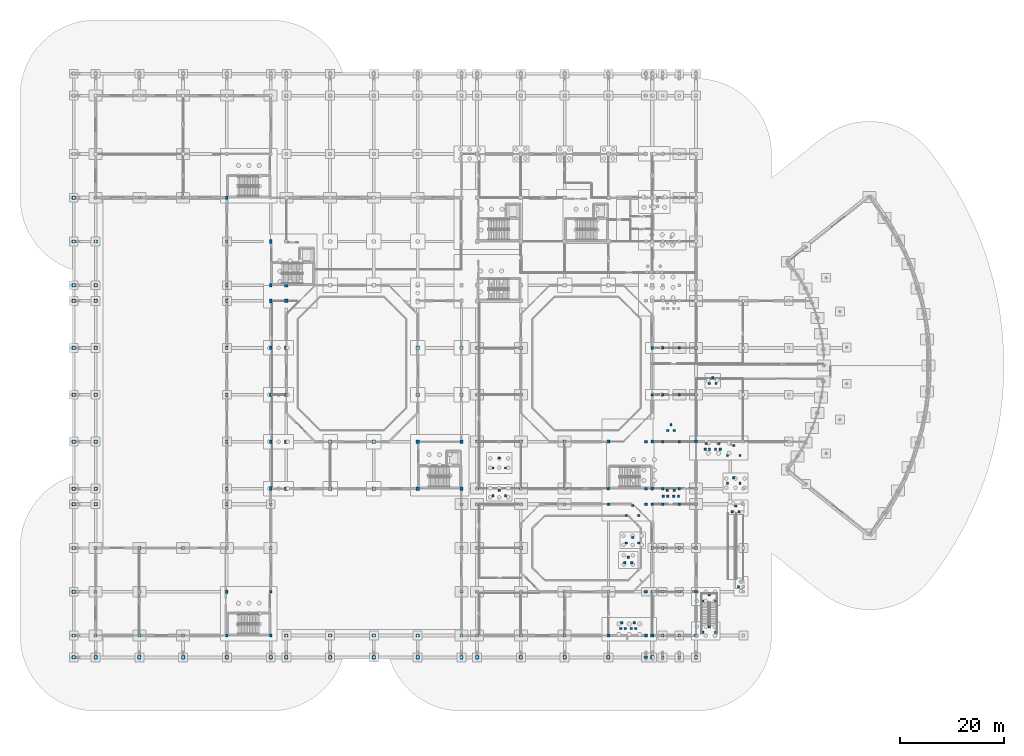
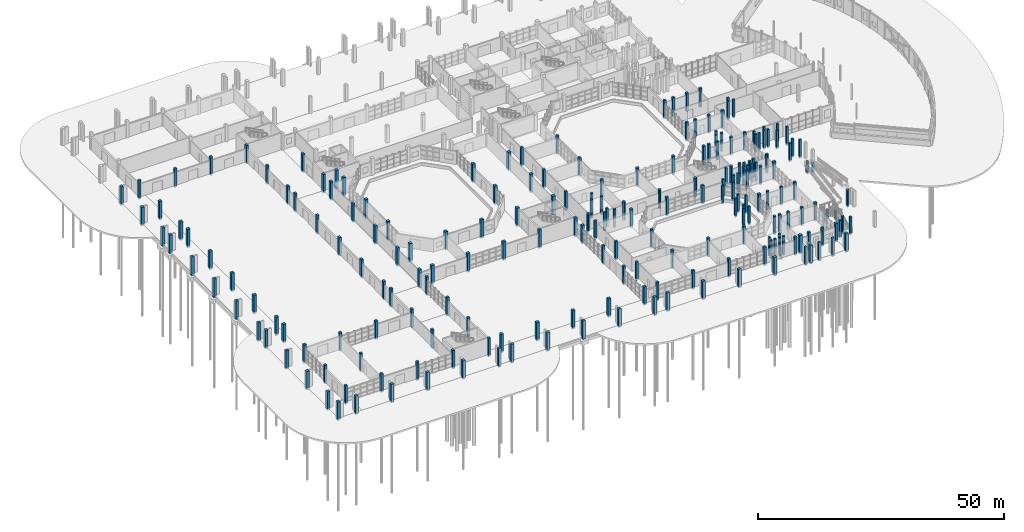
# One storey, part 9 of 88: 218 columns.
"""IFC4 building model written with IfcOpenShell, lengths in metres."""

from ifc_helpers import new_model, si_unit, direction, frame, origin, origin_2d, place, context, subcontext, project, spatial, rectangle, circle, extrude, material, material_profile, profile_set, type_object, element, save


model = new_model("IFC4")

# Units and contexts
model_context = context("Model", 3, precision=1e-05, world=origin(), true_north=direction((0.0, 1.0)))
body_context = subcontext(model_context, "Body", "Model", "MODEL_VIEW")
ifc_project = project(units=[si_unit("LENGTHUNIT", "METRE"), si_unit("AREAUNIT", "SQUARE_METRE"), si_unit("VOLUMEUNIT", "CUBIC_METRE"), si_unit("PLANEANGLEUNIT", "RADIAN"), si_unit("MASSUNIT", "GRAM", prefix="KILO")], contexts=[model_context])

# Site, building, storey
site_placement = place(None, origin())
site = spatial("IfcSite", under=ifc_project, at=site_placement, CompositionType="ELEMENT")
building_placement = place(site_placement, origin())
building = spatial("IfcBuilding", under=site, at=building_placement, Name="Vanh Quang Courtyard School", CompositionType="ELEMENT")
storey_placement = place(building_placement, origin())
storey = spatial("IfcBuildingStorey", under=building, at=storey_placement, Name="L00", CompositionType="ELEMENT", Elevation=0.0)

# Columns
ifc_material = material(Name="Concrete C35/45", Category="concrete")
ifc_material_profile_1 = material_profile(ifc_material, rectangle(XDim=0.449951171875, YDim=0.449951171875, at=origin_2d()), Name="RC-COL 450x450")
ifc_profile_set_1 = profile_set([ifc_material_profile_1], Name="Concrete C35/45")
column_type_1 = type_object("IfcColumnType", Name="COL-RC-450", PredefinedType="COLUMN", material=ifc_profile_set_1)
for number, where, z_axis, x_axis, name in (
    (1, (126.35009765625, 27.949951171875, -0.39990234375), (0.0, 0.0, 1.0), (1.0, 0.0, 0.0), "Column C-06 (L00)"),
    (2, (127.64990234375, 27.949951171875, -0.39990234375), (0.0, 0.0, 1.0), (1.0, 0.0, 0.0), "Column C-06 (L00)"),
    (3, (127.0, 29.050048828125, -0.39990234375), (0.0, 0.0, 1.0), (1.0, 0.0, 0.0), "Column C-06 (L00)"),
):
    element("IfcColumn", number, at=place(storey_placement, frame(where, z_axis=z_axis, x_axis=x_axis)), inside=storey, type_object=column_type_1, Name=name, PredefinedType="COLUMN", context=body_context, shape_type="SweptSolid", body=[
        extrude(rectangle(XDim=0.449951171875, YDim=0.449951171875, at=origin_2d()), origin(), (0.0, 0.0, 1.0), 2.27978515625),
    ])
column_placement = place(storey_placement, frame((127.550048828125, 13.550048828125, -0.39990234375), z_axis=(0.0, 0.0, 1.0), x_axis=(1.0, 0.0, 0.0)))
element("IfcColumn", 4, at=column_placement, inside=storey, type_object=column_type_1, Name="Column C-06 (L00)", PredefinedType="COLUMN", context=body_context, shape_type="SweptSolid", body=[
    extrude(rectangle(XDim=0.449951171875, YDim=0.449951171875, at=origin_2d()), origin(), (0.0, 0.0, 1.0), 4.3798828125),
])
for number, where, z_axis, x_axis, name in (
    (5, (121.949951171875, 52.550048828125, -0.39990234375), (0.0, 0.0, 1.0), (1.0, 0.0, 0.0), "Column C-06 (L00)"),
    (6, (123.25, 52.550048828125, -0.39990234375), (0.0, 0.0, 1.0), (1.0, 0.0, 0.0), "Column C-06 (L00)"),
    (7, (122.60009765625, 53.64990234375, -0.39990234375), (0.0, 0.0, 1.0), (1.0, 0.0, 0.0), "Column C-06 (L00)"),
    (8, (123.14990234375, 39.949951171875, -0.39990234375), (0.0, 0.0, 1.0), (1.0, 0.0, 0.0), "Column C-06 (L00)"),
    (9, (124.050048828125, 39.949951171875, -0.39990234375), (0.0, 0.0, 1.0), (1.0, 0.0, 0.0), "Column C-06 (L00)"),
    (10, (123.75, 41.050048828125, -0.39990234375), (0.0, 0.0, 1.0), (1.0, 0.0, 0.0), "Column C-06 (L00)"),
):
    element("IfcColumn", number, at=place(storey_placement, frame(where, z_axis=z_axis, x_axis=x_axis)), inside=storey, type_object=column_type_1, Name=name, PredefinedType="COLUMN", context=body_context, shape_type="SweptSolid", body=[
        extrude(rectangle(XDim=0.449951171875, YDim=0.449951171875, at=origin_2d()), origin(), (0.0, 0.0, 1.0), 4.599853515625),
    ])
for number, where, z_axis, x_axis, name in (
    (11, (121.14990234375, 39.949951171875, -0.39990234375), (0.0, 0.0, 1.0), (1.0, 0.0, 0.0), "Column C-06 (L00)"),
    (12, (122.0, 39.949951171875, -0.39990234375), (0.0, 0.0, 1.0), (1.0, 0.0, 0.0), "Column C-06 (L00)"),
    (13, (121.35009765625, 41.050048828125, -0.39990234375), (0.0, 0.0, 1.0), (1.0, 0.0, 0.0), "Column C-06 (L00)"),
):
    element("IfcColumn", number, at=place(storey_placement, frame(where, z_axis=z_axis, x_axis=x_axis)), inside=storey, type_object=column_type_1, Name=name, PredefinedType="COLUMN", context=body_context, shape_type="SweptSolid", body=[
        extrude(rectangle(XDim=0.449951171875, YDim=0.449951171875, at=origin_2d()), origin(), (0.0, 0.0, 1.0), 4.3798828125),
    ])
for number, where, z_axis, x_axis, name in (
    (14, (105.75, 18.14990234375, -0.39990234375), (0.0, 0.0, 1.0), (1.0, 0.0, 0.0), "Column C-06 (L00)"),
    (15, (107.050048828125, 18.14990234375, -0.39990234375), (0.0, 0.0, 1.0), (1.0, 0.0, 0.0), "Column C-06 (L00)"),
    (16, (106.39990234375, 19.25, -0.39990234375), (0.0, 0.0, 1.0), (1.0, 0.0, 0.0), "Column C-06 (L00)"),
    (17, (106.949951171875, 5.550048828125, -0.39990234375), (0.0, 0.0, 1.0), (1.0, 0.0, 0.0), "Column C-06 (L00)"),
    (18, (107.85009765625, 5.550048828125, -0.39990234375), (0.0, 0.0, 1.0), (1.0, 0.0, 0.0), "Column C-06 (L00)"),
    (19, (107.550048828125, 6.64990234375, -0.39990234375), (0.0, 0.0, 1.0), (1.0, 0.0, 0.0), "Column C-06 (L00)"),
    (20, (104.949951171875, 5.550048828125, -0.39990234375), (0.0, 0.0, 1.0), (1.0, 0.0, 0.0), "Column C-06 (L00)"),
    (21, (105.800048828125, 5.550048828125, -0.39990234375), (0.0, 0.0, 1.0), (1.0, 0.0, 0.0), "Column C-06 (L00)"),
    (22, (105.14990234375, 6.64990234375, -0.39990234375), (0.0, 0.0, 1.0), (1.0, 0.0, 0.0), "Column C-06 (L00)"),
    (23, (113.949951171875, 43.550048828125, -0.39990234375), (0.0, 0.0, 1.0), (1.0, 0.0, 0.0), "Column C-06 (L00)"),
    (24, (115.25, 43.550048828125, -0.39990234375), (0.0, 0.0, 1.0), (1.0, 0.0, 0.0), "Column C-06 (L00)"),
    (25, (114.60009765625, 44.64990234375, -0.39990234375), (0.0, 0.0, 1.0), (1.0, 0.0, 0.0), "Column C-06 (L00)"),
    (26, (115.14990234375, 30.949951171875, -0.39990234375), (0.0, 0.0, 1.0), (1.0, 0.0, 0.0), "Column C-06 (L00)"),
    (27, (116.050048828125, 30.949951171875, -0.39990234375), (0.0, 0.0, 1.0), (1.0, 0.0, 0.0), "Column C-06 (L00)"),
    (28, (115.199951171875, 32.050048828125, -0.39990234375), (0.0, 0.0, 1.0), (1.0, 0.0, 0.0), "Column C-06 (L00)"),
    (29, (113.14990234375, 30.949951171875, -0.39990234375), (0.0, 0.0, 1.0), (1.0, 0.0, 0.0), "Column C-06 (L00)"),
    (30, (114.0, 30.949951171875, -0.39990234375), (0.0, 0.0, 1.0), (1.0, 0.0, 0.0), "Column C-06 (L00)"),
    (31, (113.89990234375, 32.050048828125, -0.39990234375), (0.0, 0.0, 1.0), (1.0, 0.0, 0.0), "Column C-06 (L00)"),
):
    element("IfcColumn", number, at=place(storey_placement, frame(where, z_axis=z_axis, x_axis=x_axis)), inside=storey, type_object=column_type_1, Name=name, PredefinedType="COLUMN", context=body_context, shape_type="SweptSolid", body=[
        extrude(rectangle(XDim=0.449951171875, YDim=0.449951171875, at=origin_2d()), origin(), (0.0, 0.0, 1.0), 4.599853515625),
    ])
for number, where, z_axis, x_axis, name in (
    (32, (123.14990234375, 10.820068359375, -0.39990234375), (0.0, 0.0, 1.0), (1.0, 0.0, 0.0), "Column C-06 (L00)"),
    (33, (120.75, 10.820068359375, -0.39990234375), (0.0, 0.0, 1.0), (1.0, 0.0, 0.0), "Column C-06 (L00)"),
    (34, (121.949951171875, 12.050048828125, -0.39990234375), (0.0, 0.0, 1.0), (1.0, 0.0, 0.0), "Column C-06 (L00)"),
):
    element("IfcColumn", number, at=place(storey_placement, frame(where, z_axis=z_axis, x_axis=x_axis)), inside=storey, type_object=column_type_1, Name=name, PredefinedType="COLUMN", context=body_context, shape_type="SweptSolid", body=[
        extrude(rectangle(XDim=0.449951171875, YDim=0.449951171875, at=origin_2d()), origin(), (0.0, 0.0, 1.0), 2.2998046875),
    ])
for number, where, z_axis, x_axis, name in (
    (35, (123.14990234375, 4.85009765625, -0.39990234375), (0.0, 0.0, 1.0), (1.0, 0.0, 0.0), "Column C-06 (L00)"),
    (36, (120.75, 4.85009765625, -0.39990234375), (0.0, 0.0, 1.0), (1.0, 0.0, 0.0), "Column C-06 (L00)"),
    (37, (121.949951171875, 5.89990234375, -0.39990234375), (0.0, 0.0, 1.0), (1.0, 0.0, 0.0), "Column C-06 (L00)"),
):
    element("IfcColumn", number, at=place(storey_placement, frame(where, z_axis=z_axis, x_axis=x_axis)), inside=storey, type_object=column_type_1, Name=name, PredefinedType="COLUMN", context=body_context, shape_type="SweptSolid", body=[
        extrude(rectangle(XDim=0.449951171875, YDim=0.449951171875, at=origin_2d()), origin(), (0.0, 0.0, 1.0), 4.39990234375),
    ])
for number, where, z_axis, x_axis, name in (
    (38, (127.85009765625, 38.739990234375, -0.39990234375), (0.0, 0.0, 1.0), (1.0, 0.0, 0.0), "Column C-06 (L00)"),
    (39, (125.449951171875, 38.739990234375, -0.39990234375), (0.0, 0.0, 1.0), (1.0, 0.0, 0.0), "Column C-06 (L00)"),
    (40, (126.64990234375, 40.64990234375, -0.39990234375), (0.0, 0.0, 1.0), (1.0, 0.0, 0.0), "Column C-06 (L00)"),
    (41, (127.85009765625, 33.449951171875, -0.39990234375), (0.0, 0.0, 1.0), (1.0, 0.0, 0.0), "Column C-06 (L00)"),
    (42, (125.449951171875, 33.449951171875, -0.39990234375), (0.0, 0.0, 1.0), (1.0, 0.0, 0.0), "Column C-06 (L00)"),
    (43, (126.64990234375, 34.5, -0.39990234375), (0.0, 0.0, 1.0), (1.0, 0.0, 0.0), "Column C-06 (L00)"),
    (44, (108.449951171875, 27.239990234375, -0.39990234375), (0.0, 0.0, 1.0), (1.0, 0.0, 0.0), "Column C-06 (L00)"),
    (45, (106.050048828125, 27.239990234375, -0.39990234375), (0.0, 0.0, 1.0), (1.0, 0.0, 0.0), "Column C-06 (L00)"),
    (46, (107.25, 29.14990234375, -0.39990234375), (0.0, 0.0, 1.0), (1.0, 0.0, 0.0), "Column C-06 (L00)"),
    (47, (108.449951171875, 21.949951171875, -0.39990234375), (0.0, 0.0, 1.0), (1.0, 0.0, 0.0), "Column C-06 (L00)"),
    (48, (106.050048828125, 21.949951171875, -0.39990234375), (0.0, 0.0, 1.0), (1.0, 0.0, 0.0), "Column C-06 (L00)"),
    (49, (107.25, 23.0, -0.39990234375), (0.0, 0.0, 1.0), (1.0, 0.0, 0.0), "Column C-06 (L00)"),
    (50, (82.85009765625, 36.340087890625, -0.39990234375), (0.0, 0.0, 1.0), (1.0, 0.0, 0.0), "Column C-06 (L00)"),
    (51, (80.449951171875, 36.340087890625, -0.39990234375), (0.0, 0.0, 1.0), (1.0, 0.0, 0.0), "Column C-06 (L00)"),
    (52, (81.64990234375, 38.25, -0.39990234375), (0.0, 0.0, 1.0), (1.0, 0.0, 0.0), "Column C-06 (L00)"),
    (53, (82.85009765625, 31.050048828125, -0.39990234375), (0.0, 0.0, 1.0), (1.0, 0.0, 0.0), "Column C-06 (L00)"),
    (54, (80.449951171875, 31.050048828125, -0.39990234375), (0.0, 0.0, 1.0), (1.0, 0.0, 0.0), "Column C-06 (L00)"),
    (55, (81.64990234375, 32.10009765625, -0.39990234375), (0.0, 0.0, 1.0), (1.0, 0.0, 0.0), "Column C-06 (L00)"),
):
    element("IfcColumn", number, at=place(storey_placement, frame(where, z_axis=z_axis, x_axis=x_axis)), inside=storey, type_object=column_type_1, Name=name, PredefinedType="COLUMN", context=body_context, shape_type="SweptSolid", body=[
        extrude(rectangle(XDim=0.449951171875, YDim=0.449951171875, at=origin_2d()), origin(), (0.0, 0.0, 1.0), 4.599853515625),
    ])
ifc_material_profile_2 = material_profile(ifc_material, rectangle(XDim=0.5, YDim=0.5, at=origin_2d()), Name="RC-COL 500x500")
ifc_profile_set_2 = profile_set([ifc_material_profile_2], Name="Concrete C35/45")
column_type_2 = type_object("IfcColumnType", Name="COL-RC-500", PredefinedType="COLUMN", material=ifc_profile_set_2)
for number, where, z_axis, x_axis, name in (
    (56, (116.199951171875, 0.0, -0.39990234375), (0.0, 0.0, 1.0), (1.0, 0.0, 0.0), "Column C-05 (L00)"),
    (57, (116.199951171875, 4.199951171875, -0.39990234375), (0.0, 0.0, 1.0), (1.0, 0.0, 0.0), "Column C-05 (L00)"),
    (58, (116.199951171875, 12.60009765625, -0.39990234375), (0.0, 0.0, 1.0), (1.0, 0.0, 0.0), "Column C-05 (L00)"),
    (59, (116.199951171875, 21.0, -0.39990234375), (0.0, 0.0, 1.0), (1.0, 0.0, 0.0), "Column C-05 (L00)"),
    (60, (116.199951171875, 29.39990234375, -0.39990234375), (0.0, 0.0, 1.0), (1.0, 0.0, 0.0), "Column C-05 (L00)"),
    (61, (116.199951171875, 32.39990234375, -0.39990234375), (0.0, 0.0, 1.0), (1.0, 0.0, 0.0), "Column C-05 (L00)"),
    (62, (116.199951171875, 41.39990234375, -0.39990234375), (0.0, 0.0, 1.0), (1.0, 0.0, 0.0), "Column C-05 (L00)"),
    (63, (116.199951171875, 50.39990234375, -0.39990234375), (0.0, 0.0, 1.0), (1.0, 0.0, 0.0), "Column C-05 (L00)"),
    (64, (116.199951171875, 59.39990234375, -0.39990234375), (0.0, 0.0, 1.0), (1.0, 0.0, 0.0), "Column C-05 (L00)"),
    (65, (113.0, 0.0, -0.39990234375), (0.0, 0.0, 1.0), (1.0, 0.0, 0.0), "Column C-05 (L00)"),
    (66, (113.0, 4.199951171875, -0.39990234375), (0.0, 0.0, 1.0), (1.0, 0.0, 0.0), "Column C-05 (L00)"),
    (67, (113.0, 12.60009765625, -0.39990234375), (0.0, 0.0, 1.0), (1.0, 0.0, 0.0), "Column C-05 (L00)"),
    (68, (113.0, 21.0, -0.39990234375), (0.0, 0.0, 1.0), (1.0, 0.0, 0.0), "Column C-05 (L00)"),
    (69, (113.0, 29.39990234375, -0.39990234375), (0.0, 0.0, 1.0), (1.0, 0.0, 0.0), "Column C-05 (L00)"),
    (70, (113.0, 32.39990234375, -0.39990234375), (0.0, 0.0, 1.0), (1.0, 0.0, 0.0), "Column C-05 (L00)"),
    (71, (113.0, 41.39990234375, -0.39990234375), (0.0, 0.0, 1.0), (1.0, 0.0, 0.0), "Column C-05 (L00)"),
    (72, (113.0, 50.39990234375, -0.39990234375), (0.0, 0.0, 1.0), (1.0, 0.0, 0.0), "Column C-05 (L00)"),
    (73, (113.0, 59.39990234375, -0.39990234375), (0.0, 0.0, 1.0), (1.0, 0.0, 0.0), "Column C-05 (L00)"),
    (74, (109.800048828125, 0.0, -0.39990234375), (0.0, 0.0, 1.0), (1.0, 0.0, 0.0), "Column C-05 (L00)"),
    (75, (109.800048828125, 4.199951171875, -0.39990234375), (0.0, 0.0, 1.0), (1.0, 0.0, 0.0), "Column C-05 (L00)"),
    (76, (109.800048828125, 12.60009765625, -0.39990234375), (0.0, 0.0, 1.0), (1.0, 0.0, 0.0), "Column C-05 (L00)"),
    (77, (109.800048828125, 29.39990234375, -0.39990234375), (0.0, 0.0, 1.0), (1.0, 0.0, 0.0), "Column C-05 (L00)"),
    (78, (109.800048828125, 32.39990234375, -0.39990234375), (0.0, 0.0, 1.0), (1.0, 0.0, 0.0), "Column C-05 (L00)"),
    (79, (109.800048828125, 41.39990234375, -0.39990234375), (0.0, 0.0, 1.0), (1.0, 0.0, 0.0), "Column C-05 (L00)"),
):
    element("IfcColumn", number, at=place(storey_placement, frame(where, z_axis=z_axis, x_axis=x_axis)), inside=storey, type_object=column_type_2, Name=name, PredefinedType="COLUMN", context=body_context, shape_type="SweptSolid", body=[
        extrude(rectangle(XDim=0.5, YDim=0.5, at=origin_2d()), origin(), (0.0, 0.0, 1.0), 4.599853515625),
    ])
ifc_material_profile_3 = material_profile(ifc_material, rectangle(XDim=0.5, YDim=0.64990234375, at=origin_2d()), Name="RC-COL 500x650")
ifc_profile_set_3 = profile_set([ifc_material_profile_3], Name="Concrete C35/45")
column_type_3 = type_object("IfcColumnType", Name="COL-RC-500x650", PredefinedType="COLUMN", material=ifc_profile_set_3)
for number, where, z_axis, x_axis, name in (
    (80, (29.39990234375, 4.199951171875, -0.39990234375), (0.0, 0.0, 1.0), (1.0, 0.0, 0.0), "Column C-07 (L00)"),
    (81, (29.39990234375, 12.60009765625, -0.39990234375), (0.0, 0.0, 1.0), (1.0, 0.0, 0.0), "Column C-07 (L00)"),
    (82, (29.39990234375, 21.0, -0.39990234375), (0.0, 0.0, 1.0), (1.0, 0.0, 0.0), "Column C-07 (L00)"),
    (83, (29.39990234375, 29.39990234375, -0.39990234375), (0.0, 0.0, 1.0), (1.0, 0.0, 0.0), "Column C-07 (L00)"),
    (84, (29.39990234375, 32.39990234375, -0.39990234375), (0.0, 0.0, 1.0), (1.0, 0.0, 0.0), "Column C-07 (L00)"),
    (85, (29.39990234375, 41.39990234375, -0.39990234375), (0.0, 0.0, 1.0), (1.0, 0.0, 0.0), "Column C-07 (L00)"),
    (86, (29.39990234375, 50.39990234375, -0.39990234375), (0.0, 0.0, 1.0), (1.0, 0.0, 0.0), "Column C-07 (L00)"),
    (87, (29.39990234375, 59.39990234375, -0.39990234375), (0.0, 0.0, 1.0), (1.0, 0.0, 0.0), "Column C-07 (L00)"),
    (88, (29.39990234375, 68.39990234375, -0.39990234375), (0.0, 0.0, 1.0), (1.0, 0.0, 0.0), "Column C-07 (L00)"),
    (89, (29.39990234375, 71.39990234375, -0.39990234375), (0.0, 0.0, 1.0), (1.0, 0.0, 0.0), "Column C-07 (L00)"),
    (90, (29.39990234375, 79.800048828125, -0.39990234375), (0.0, 0.0, 1.0), (1.0, 0.0, 0.0), "Column C-07 (L00)"),
    (91, (29.39990234375, 88.199951171875, -0.39990234375), (0.0, 0.0, 1.0), (1.0, 0.0, 0.0), "Column C-07 (L00)"),
):
    element("IfcColumn", number, at=place(storey_placement, frame(where, z_axis=z_axis, x_axis=x_axis)), inside=storey, type_object=column_type_3, Name=name, PredefinedType="COLUMN", context=body_context, shape_type="SweptSolid", body=[
        extrude(rectangle(XDim=0.5, YDim=0.64990234375, at=origin_2d()), origin(), (0.0, 0.0, 1.0), 4.599853515625),
    ])
ifc_material_profile_4 = material_profile(ifc_material, rectangle(XDim=0.550048828125, YDim=0.550048828125, at=origin_2d()), Name="RC-COL 550x550")
ifc_profile_set_4 = profile_set([ifc_material_profile_4], Name="Concrete C35/45")
column_type_4 = type_object("IfcColumnType", Name="COL-RC-550", PredefinedType="COLUMN", material=ifc_profile_set_4)
for number, where, z_axis, x_axis, name in (
    (92, (4.199951171875, 4.199951171875, -0.39990234375), (0.0, 0.0, 1.0), (1.0, 0.0, 0.0), "Column C-04 (L00)"),
    (93, (4.199951171875, 12.60009765625, -0.39990234375), (0.0, 0.0, 1.0), (1.0, 0.0, 0.0), "Column C-04 (L00)"),
    (94, (4.199951171875, 21.0, -0.39990234375), (0.0, 0.0, 1.0), (1.0, 0.0, 0.0), "Column C-04 (L00)"),
    (95, (4.199951171875, 88.199951171875, -0.39990234375), (0.0, 0.0, 1.0), (1.0, 0.0, 0.0), "Column C-04 (L00)"),
    (96, (12.60009765625, 4.199951171875, -0.39990234375), (0.0, 0.0, 1.0), (1.0, 0.0, 0.0), "Column C-04 (L00)"),
    (97, (12.60009765625, 12.60009765625, -0.39990234375), (0.0, 0.0, 1.0), (1.0, 0.0, 0.0), "Column C-04 (L00)"),
    (98, (12.60009765625, 21.0, -0.39990234375), (0.0, 0.0, 1.0), (1.0, 0.0, 0.0), "Column C-04 (L00)"),
    (99, (12.60009765625, 88.199951171875, -0.39990234375), (0.0, 0.0, 1.0), (1.0, 0.0, 0.0), "Column C-04 (L00)"),
    (100, (21.0, 4.199951171875, -0.39990234375), (0.0, 0.0, 1.0), (1.0, 0.0, 0.0), "Column C-04 (L00)"),
    (101, (21.0, 21.0, -0.39990234375), (0.0, 0.0, 1.0), (1.0, 0.0, 0.0), "Column C-04 (L00)"),
    (102, (21.0, 88.199951171875, -0.39990234375), (0.0, 0.0, 1.0), (1.0, 0.0, 0.0), "Column C-04 (L00)"),
    (103, (37.800048828125, 4.199951171875, -0.39990234375), (0.0, 0.0, 1.0), (1.0, 0.0, 0.0), "Column C-04 (L00)"),
    (104, (37.800048828125, 12.60009765625, -0.39990234375), (0.0, 0.0, 1.0), (1.0, 0.0, 0.0), "Column C-04 (L00)"),
    (105, (37.800048828125, 21.0, -0.39990234375), (0.0, 0.0, 1.0), (1.0, 0.0, 0.0), "Column C-04 (L00)"),
    (106, (37.800048828125, 29.39990234375, -0.39990234375), (0.0, 0.0, 1.0), (1.0, 0.0, 0.0), "Column C-04 (L00)"),
    (107, (74.39990234375, 4.199951171875, -0.39990234375), (0.0, 0.0, 1.0), (1.0, 0.0, 0.0), "Column C-04 (L00)"),
    (108, (74.39990234375, 12.60009765625, -0.39990234375), (0.0, 0.0, 1.0), (1.0, 0.0, 0.0), "Column C-04 (L00)"),
    (109, (74.39990234375, 21.0, -0.39990234375), (0.0, 0.0, 1.0), (1.0, 0.0, 0.0), "Column C-04 (L00)"),
    (110, (74.39990234375, 29.39990234375, -0.39990234375), (0.0, 0.0, 1.0), (1.0, 0.0, 0.0), "Column C-04 (L00)"),
    (111, (77.39990234375, 4.199951171875, -0.39990234375), (0.0, 0.0, 1.0), (1.0, 0.0, 0.0), "Column C-04 (L00)"),
    (112, (77.39990234375, 12.60009765625, -0.39990234375), (0.0, 0.0, 1.0), (1.0, 0.0, 0.0), "Column C-04 (L00)"),
    (113, (77.39990234375, 21.0, -0.39990234375), (0.0, 0.0, 1.0), (1.0, 0.0, 0.0), "Column C-04 (L00)"),
    (114, (77.39990234375, 29.39990234375, -0.39990234375), (0.0, 0.0, 1.0), (1.0, 0.0, 0.0), "Column C-04 (L00)"),
    (115, (77.39990234375, 41.39990234375, -0.39990234375), (0.0, 0.0, 1.0), (1.0, 0.0, 0.0), "Column C-04 (L00)"),
    (116, (77.39990234375, 50.39990234375, -0.39990234375), (0.0, 0.0, 1.0), (1.0, 0.0, 0.0), "Column C-04 (L00)"),
    (117, (77.39990234375, 59.39990234375, -0.39990234375), (0.0, 0.0, 1.0), (1.0, 0.0, 0.0), "Column C-04 (L00)"),
    (118, (85.800048828125, 4.199951171875, -0.39990234375), (0.0, 0.0, 1.0), (1.0, 0.0, 0.0), "Column C-04 (L00)"),
    (119, (85.800048828125, 12.60009765625, -0.39990234375), (0.0, 0.0, 1.0), (1.0, 0.0, 0.0), "Column C-04 (L00)"),
    (120, (85.800048828125, 21.0, -0.39990234375), (0.0, 0.0, 1.0), (1.0, 0.0, 0.0), "Column C-04 (L00)"),
    (121, (85.800048828125, 29.39990234375, -0.39990234375), (0.0, 0.0, 1.0), (1.0, 0.0, 0.0), "Column C-04 (L00)"),
    (122, (85.800048828125, 41.39990234375, -0.39990234375), (0.0, 0.0, 1.0), (1.0, 0.0, 0.0), "Column C-04 (L00)"),
    (123, (85.800048828125, 50.39990234375, -0.39990234375), (0.0, 0.0, 1.0), (1.0, 0.0, 0.0), "Column C-04 (L00)"),
    (124, (85.800048828125, 59.39990234375, -0.39990234375), (0.0, 0.0, 1.0), (1.0, 0.0, 0.0), "Column C-04 (L00)"),
    (125, (94.199951171875, 4.199951171875, -0.39990234375), (0.0, 0.0, 1.0), (1.0, 0.0, 0.0), "Column C-04 (L00)"),
    (126, (94.199951171875, 12.60009765625, -0.39990234375), (0.0, 0.0, 1.0), (1.0, 0.0, 0.0), "Column C-04 (L00)"),
    (127, (94.199951171875, 29.39990234375, -0.39990234375), (0.0, 0.0, 1.0), (1.0, 0.0, 0.0), "Column C-04 (L00)"),
    (128, (94.199951171875, 41.39990234375, -0.39990234375), (0.0, 0.0, 1.0), (1.0, 0.0, 0.0), "Column C-04 (L00)"),
    (129, (102.60009765625, 4.199951171875, -0.39990234375), (0.0, 0.0, 1.0), (1.0, 0.0, 0.0), "Column C-04 (L00)"),
    (130, (102.60009765625, 12.60009765625, -0.39990234375), (0.0, 0.0, 1.0), (1.0, 0.0, 0.0), "Column C-04 (L00)"),
    (131, (102.60009765625, 29.39990234375, -0.39990234375), (0.0, 0.0, 1.0), (1.0, 0.0, 0.0), "Column C-04 (L00)"),
    (132, (102.60009765625, 41.39990234375, -0.39990234375), (0.0, 0.0, 1.0), (1.0, 0.0, 0.0), "Column C-04 (L00)"),
    (133, (111.0, 12.60009765625, -0.39990234375), (0.0, 0.0, 1.0), (1.0, 0.0, 0.0), "Column C-04 (L00)"),
    (134, (111.0, 21.0, -0.39990234375), (0.0, 0.0, 1.0), (1.0, 0.0, 0.0), "Column C-04 (L00)"),
    (135, (111.0, 29.39990234375, -0.39990234375), (0.0, 0.0, 1.0), (1.0, 0.0, 0.0), "Column C-04 (L00)"),
    (136, (111.0, 41.39990234375, -0.39990234375), (0.0, 0.0, 1.0), (1.0, 0.0, 0.0), "Column C-04 (L00)"),
    (137, (111.0, 50.39990234375, -0.39990234375), (0.0, 0.0, 1.0), (1.0, 0.0, 0.0), "Column C-04 (L00)"),
    (138, (111.0, 59.39990234375, -0.39990234375), (0.0, 0.0, 1.0), (1.0, 0.0, 0.0), "Column C-04 (L00)"),
    (139, (119.39990234375, 12.60009765625, -0.39990234375), (0.0, 0.0, 1.0), (1.0, 0.0, 0.0), "Column C-04 (L00)"),
    (140, (119.39990234375, 21.0, -0.39990234375), (0.0, 0.0, 1.0), (1.0, 0.0, 0.0), "Column C-04 (L00)"),
    (141, (119.39990234375, 29.39990234375, -0.39990234375), (0.0, 0.0, 1.0), (1.0, 0.0, 0.0), "Column C-04 (L00)"),
    (142, (119.39990234375, 41.39990234375, -0.39990234375), (0.0, 0.0, 1.0), (1.0, 0.0, 0.0), "Column C-04 (L00)"),
    (143, (119.39990234375, 50.39990234375, -0.39990234375), (0.0, 0.0, 1.0), (1.0, 0.0, 0.0), "Column C-04 (L00)"),
    (144, (119.39990234375, 59.39990234375, -0.39990234375), (0.0, 0.0, 1.0), (1.0, 0.0, 0.0), "Column C-04 (L00)"),
):
    element("IfcColumn", number, at=place(storey_placement, frame(where, z_axis=z_axis, x_axis=x_axis)), inside=storey, type_object=column_type_4, Name=name, PredefinedType="COLUMN", context=body_context, shape_type="SweptSolid", body=[
        extrude(rectangle(XDim=0.550048828125, YDim=0.550048828125, at=origin_2d()), origin(), (0.0, 0.0, 1.0), 4.599853515625),
    ])
ifc_material_profile_5 = material_profile(ifc_material, rectangle(XDim=0.550048828125, YDim=0.699951171875, at=origin_2d()), Name="RC-COL 550x700")
ifc_profile_set_5 = profile_set([ifc_material_profile_5], Name="Concrete C35/45")
column_type_5 = type_object("IfcColumnType", Name="COL-RC-550x700", PredefinedType="COLUMN", material=ifc_profile_set_5)
for number, where, z_axis, x_axis, name in (
    (145, (37.800048828125, 32.39990234375, -0.39990234375), (0.0, 0.0, 1.0), (1.0, 0.0, 0.0), "Column C-08 (L00)"),
    (146, (37.800048828125, 41.39990234375, -0.39990234375), (0.0, 0.0, 1.0), (1.0, 0.0, 0.0), "Column C-08 (L00)"),
    (147, (37.800048828125, 50.39990234375, -0.39990234375), (0.0, 0.0, 1.0), (1.0, 0.0, 0.0), "Column C-08 (L00)"),
    (148, (37.800048828125, 59.39990234375, -0.39990234375), (0.0, 0.0, 1.0), (1.0, 0.0, 0.0), "Column C-08 (L00)"),
    (149, (37.800048828125, 68.39990234375, -0.39990234375), (0.0, 0.0, 1.0), (1.0, 0.0, 0.0), "Column C-08 (L00)"),
    (150, (37.800048828125, 71.39990234375, -0.39990234375), (0.0, 0.0, 1.0), (1.0, 0.0, 0.0), "Column C-08 (L00)"),
    (151, (37.800048828125, 79.800048828125, -0.39990234375), (0.0, 0.0, 1.0), (1.0, 0.0, 0.0), "Column C-08 (L00)"),
):
    element("IfcColumn", number, at=place(storey_placement, frame(where, z_axis=z_axis, x_axis=x_axis)), inside=storey, type_object=column_type_5, Name=name, PredefinedType="COLUMN", context=body_context, shape_type="SweptSolid", body=[
        extrude(rectangle(XDim=0.550048828125, YDim=0.699951171875, at=origin_2d()), origin(), (0.0, 0.0, 1.0), 4.599853515625),
    ])
ifc_material_profile_6 = material_profile(ifc_material, rectangle(XDim=0.64990234375, YDim=0.64990234375, at=origin_2d()), Name="RC-COL 650x650")
ifc_profile_set_6 = profile_set([ifc_material_profile_6], Name="Concrete C35/45")
column_type_6 = type_object("IfcColumnType", Name="COL-RC-650", PredefinedType="COLUMN", material=ifc_profile_set_6)
for number, where, z_axis, x_axis, name in (
    (152, (0.0, 0.0, -0.39990234375), (0.0, 0.0, 1.0), (1.0, 0.0, 0.0), "Column C-02 (L00)"),
    (153, (0.0, 4.199951171875, -0.39990234375), (0.0, 0.0, 1.0), (1.0, 0.0, 0.0), "Column C-02 (L00)"),
    (154, (0.0, 12.60009765625, -0.39990234375), (0.0, 0.0, 1.0), (1.0, 0.0, 0.0), "Column C-02 (L00)"),
    (155, (0.0, 21.0, -0.39990234375), (0.0, 0.0, 1.0), (1.0, 0.0, 0.0), "Column C-02 (L00)"),
    (156, (0.0, 29.39990234375, -0.39990234375), (0.0, 0.0, 1.0), (1.0, 0.0, 0.0), "Column C-02 (L00)"),
    (157, (0.0, 32.39990234375, -0.39990234375), (0.0, 0.0, 1.0), (1.0, 0.0, 0.0), "Column C-02 (L00)"),
    (158, (0.0, 41.39990234375, -0.39990234375), (0.0, 0.0, 1.0), (1.0, 0.0, 0.0), "Column C-02 (L00)"),
    (159, (0.0, 50.39990234375, -0.39990234375), (0.0, 0.0, 1.0), (1.0, 0.0, 0.0), "Column C-02 (L00)"),
    (160, (0.0, 59.39990234375, -0.39990234375), (0.0, 0.0, 1.0), (1.0, 0.0, 0.0), "Column C-02 (L00)"),
    (161, (0.0, 68.39990234375, -0.39990234375), (0.0, 0.0, 1.0), (1.0, 0.0, 0.0), "Column C-02 (L00)"),
    (162, (0.0, 71.39990234375, -0.39990234375), (0.0, 0.0, 1.0), (1.0, 0.0, 0.0), "Column C-02 (L00)"),
    (163, (0.0, 79.800048828125, -0.39990234375), (0.0, 0.0, 1.0), (1.0, 0.0, 0.0), "Column C-02 (L00)"),
    (164, (0.0, 88.199951171875, -0.39990234375), (0.0, 0.0, 1.0), (1.0, 0.0, 0.0), "Column C-02 (L00)"),
    (165, (4.199951171875, 0.0, -0.39990234375), (0.0, 0.0, 1.0), (1.0, 0.0, 0.0), "Column C-02 (L00)"),
    (166, (4.199951171875, 29.39990234375, -0.39990234375), (0.0, 0.0, 1.0), (1.0, 0.0, 0.0), "Column C-02 (L00)"),
    (167, (4.199951171875, 32.39990234375, -0.39990234375), (0.0, 0.0, 1.0), (1.0, 0.0, 0.0), "Column C-02 (L00)"),
    (168, (4.199951171875, 41.39990234375, -0.39990234375), (0.0, 0.0, 1.0), (1.0, 0.0, 0.0), "Column C-02 (L00)"),
    (169, (4.199951171875, 50.39990234375, -0.39990234375), (0.0, 0.0, 1.0), (1.0, 0.0, 0.0), "Column C-02 (L00)"),
    (170, (4.199951171875, 59.39990234375, -0.39990234375), (0.0, 0.0, 1.0), (1.0, 0.0, 0.0), "Column C-02 (L00)"),
    (171, (4.199951171875, 68.39990234375, -0.39990234375), (0.0, 0.0, 1.0), (1.0, 0.0, 0.0), "Column C-02 (L00)"),
    (172, (4.199951171875, 71.39990234375, -0.39990234375), (0.0, 0.0, 1.0), (1.0, 0.0, 0.0), "Column C-02 (L00)"),
    (173, (4.199951171875, 79.800048828125, -0.39990234375), (0.0, 0.0, 1.0), (1.0, 0.0, 0.0), "Column C-02 (L00)"),
    (174, (12.60009765625, 0.0, -0.39990234375), (0.0, 0.0, 1.0), (1.0, 0.0, 0.0), "Column C-02 (L00)"),
    (175, (21.0, 0.0, -0.39990234375), (0.0, 0.0, 1.0), (1.0, 0.0, 0.0), "Column C-02 (L00)"),
    (176, (29.39990234375, 0.0, -0.39990234375), (0.0, 0.0, 1.0), (1.0, 0.0, 0.0), "Column C-02 (L00)"),
    (177, (37.800048828125, 0.0, -0.39990234375), (0.0, 0.0, 1.0), (1.0, 0.0, 0.0), "Column C-02 (L00)"),
    (178, (40.800048828125, 0.0, -0.39990234375), (0.0, 0.0, 1.0), (1.0, 0.0, 0.0), "Column C-02 (L00)"),
    (179, (40.800048828125, 4.199951171875, -0.39990234375), (0.0, 0.0, 1.0), (1.0, 0.0, 0.0), "Column C-02 (L00)"),
    (180, (40.800048828125, 32.39990234375, -0.39990234375), (0.0, 0.0, 1.0), (1.0, 0.0, 0.0), "Column C-02 (L00)"),
    (181, (40.800048828125, 41.39990234375, -0.39990234375), (0.0, 0.0, 1.0), (1.0, 0.0, 0.0), "Column C-02 (L00)"),
    (182, (40.800048828125, 50.39990234375, -0.39990234375), (0.0, 0.0, 1.0), (1.0, 0.0, 0.0), "Column C-02 (L00)"),
    (183, (40.800048828125, 59.39990234375, -0.39990234375), (0.0, 0.0, 1.0), (1.0, 0.0, 0.0), "Column C-02 (L00)"),
    (184, (40.800048828125, 68.39990234375, -0.39990234375), (0.0, 0.0, 1.0), (1.0, 0.0, 0.0), "Column C-02 (L00)"),
    (185, (40.800048828125, 71.39990234375, -0.39990234375), (0.0, 0.0, 1.0), (1.0, 0.0, 0.0), "Column C-02 (L00)"),
    (186, (49.199951171875, 0.0, -0.39990234375), (0.0, 0.0, 1.0), (1.0, 0.0, 0.0), "Column C-02 (L00)"),
    (187, (49.199951171875, 4.199951171875, -0.39990234375), (0.0, 0.0, 1.0), (1.0, 0.0, 0.0), "Column C-02 (L00)"),
    (188, (49.199951171875, 32.39990234375, -0.39990234375), (0.0, 0.0, 1.0), (1.0, 0.0, 0.0), "Column C-02 (L00)"),
    (189, (49.199951171875, 41.39990234375, -0.39990234375), (0.0, 0.0, 1.0), (1.0, 0.0, 0.0), "Column C-02 (L00)"),
    (190, (57.60009765625, 0.0, -0.39990234375), (0.0, 0.0, 1.0), (1.0, 0.0, 0.0), "Column C-02 (L00)"),
    (191, (57.60009765625, 4.199951171875, -0.39990234375), (0.0, 0.0, 1.0), (1.0, 0.0, 0.0), "Column C-02 (L00)"),
    (192, (57.60009765625, 32.39990234375, -0.39990234375), (0.0, 0.0, 1.0), (1.0, 0.0, 0.0), "Column C-02 (L00)"),
    (193, (57.60009765625, 41.39990234375, -0.39990234375), (0.0, 0.0, 1.0), (1.0, 0.0, 0.0), "Column C-02 (L00)"),
    (194, (66.0, 0.0, -0.39990234375), (0.0, 0.0, 1.0), (1.0, 0.0, 0.0), "Column C-02 (L00)"),
    (195, (66.0, 4.199951171875, -0.39990234375), (0.0, 0.0, 1.0), (1.0, 0.0, 0.0), "Column C-02 (L00)"),
    (196, (66.0, 32.39990234375, -0.39990234375), (0.0, 0.0, 1.0), (1.0, 0.0, 0.0), "Column C-02 (L00)"),
    (197, (66.0, 41.39990234375, -0.39990234375), (0.0, 0.0, 1.0), (1.0, 0.0, 0.0), "Column C-02 (L00)"),
    (198, (66.0, 50.39990234375, -0.39990234375), (0.0, 0.0, 1.0), (1.0, 0.0, 0.0), "Column C-02 (L00)"),
    (199, (66.0, 59.39990234375, -0.39990234375), (0.0, 0.0, 1.0), (1.0, 0.0, 0.0), "Column C-02 (L00)"),
    (200, (74.39990234375, 0.0, -0.39990234375), (0.0, 0.0, 1.0), (1.0, 0.0, 0.0), "Column C-02 (L00)"),
    (201, (74.39990234375, 32.39990234375, -0.39990234375), (0.0, 0.0, 1.0), (1.0, 0.0, 0.0), "Column C-02 (L00)"),
    (202, (74.39990234375, 41.39990234375, -0.39990234375), (0.0, 0.0, 1.0), (1.0, 0.0, 0.0), "Column C-02 (L00)"),
    (203, (74.39990234375, 50.39990234375, -0.39990234375), (0.0, 0.0, 1.0), (1.0, 0.0, 0.0), "Column C-02 (L00)"),
    (204, (74.39990234375, 59.39990234375, -0.39990234375), (0.0, 0.0, 1.0), (1.0, 0.0, 0.0), "Column C-02 (L00)"),
    (205, (77.39990234375, 0.0, -0.39990234375), (0.0, 0.0, 1.0), (1.0, 0.0, 0.0), "Column C-02 (L00)"),
    (206, (85.800048828125, 0.0, -0.39990234375), (0.0, 0.0, 1.0), (1.0, 0.0, 0.0), "Column C-02 (L00)"),
    (207, (94.199951171875, 0.0, -0.39990234375), (0.0, 0.0, 1.0), (1.0, 0.0, 0.0), "Column C-02 (L00)"),
    (208, (102.60009765625, 0.0, -0.39990234375), (0.0, 0.0, 1.0), (1.0, 0.0, 0.0), "Column C-02 (L00)"),
    (209, (111.0, 0.0, -0.39990234375), (0.0, 0.0, 1.0), (1.0, 0.0, 0.0), "Column C-02 (L00)"),
    (210, (111.0, 4.199951171875, -0.39990234375), (0.0, 0.0, 1.0), (1.0, 0.0, 0.0), "Column C-02 (L00)"),
    (211, (119.39990234375, 0.0, -0.39990234375), (0.0, 0.0, 1.0), (1.0, 0.0, 0.0), "Column C-02 (L00)"),
    (212, (119.39990234375, 4.199951171875, -0.39990234375), (0.0, 0.0, 1.0), (1.0, 0.0, 0.0), "Column C-02 (L00)"),
):
    element("IfcColumn", number, at=place(storey_placement, frame(where, z_axis=z_axis, x_axis=x_axis)), inside=storey, type_object=column_type_6, Name=name, PredefinedType="COLUMN", context=body_context, shape_type="SweptSolid", body=[
        extrude(rectangle(XDim=0.64990234375, YDim=0.64990234375, at=origin_2d()), origin(), (0.0, 0.0, 1.0), 4.599853515625),
    ])
ifc_material_profile_7 = material_profile(ifc_material, circle(Radius=0.324951171875, at=origin_2d()), Name="RC-COL D650")
ifc_profile_set_7 = profile_set([ifc_material_profile_7], Name="Concrete C35/45")
column_type_7 = type_object("IfcColumnType", Name="COL-RC-D650", PredefinedType="COLUMN", material=ifc_profile_set_7)
for number, where, z_axis, x_axis, name in (
    (213, (77.39990234375, 32.39990234375, -0.39990234375), (0.0, 0.0, 1.0), (1.0, 0.0, 0.0), "Column C-10 (L00)"),
    (214, (85.800048828125, 32.39990234375, -0.39990234375), (0.0, 0.0, 1.0), (1.0, 0.0, 0.0), "Column C-10 (L00)"),
    (215, (94.199951171875, 32.39990234375, -0.39990234375), (0.0, 0.0, 1.0), (1.0, 0.0, 0.0), "Column C-10 (L00)"),
    (216, (102.60009765625, 32.39990234375, -0.39990234375), (0.0, 0.0, 1.0), (1.0, 0.0, 0.0), "Column C-10 (L00)"),
    (217, (111.0, 32.39990234375, -0.39990234375), (0.0, 0.0, 1.0), (1.0, 0.0, 0.0), "Column C-10 (L00)"),
    (218, (119.39990234375, 32.39990234375, -0.39990234375), (0.0, 0.0, 1.0), (1.0, 0.0, 0.0), "Column C-10 (L00)"),
):
    element("IfcColumn", number, at=place(storey_placement, frame(where, z_axis=z_axis, x_axis=x_axis)), inside=storey, type_object=column_type_7, Name=name, PredefinedType="COLUMN", context=body_context, shape_type="SweptSolid", body=[
        extrude(circle(Radius=0.324951171875, at=origin_2d()), origin(), (0.0, 0.0, 1.0), 4.599853515625),
    ])

save(model, "model.ifc")
